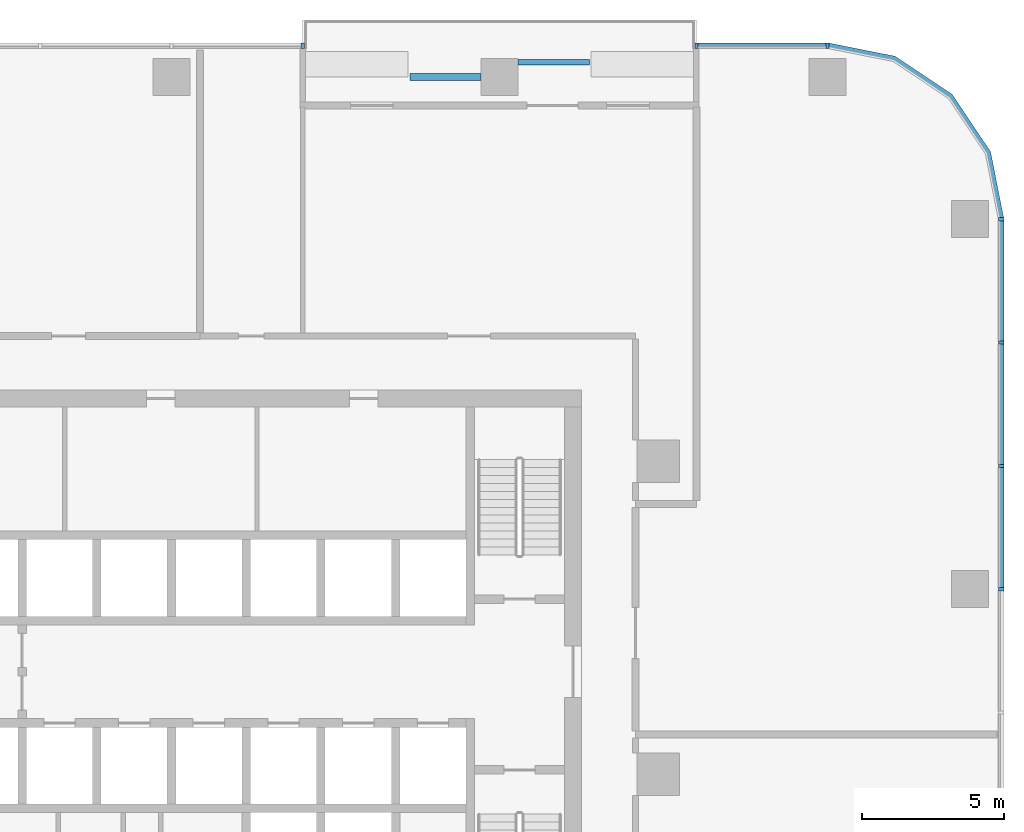
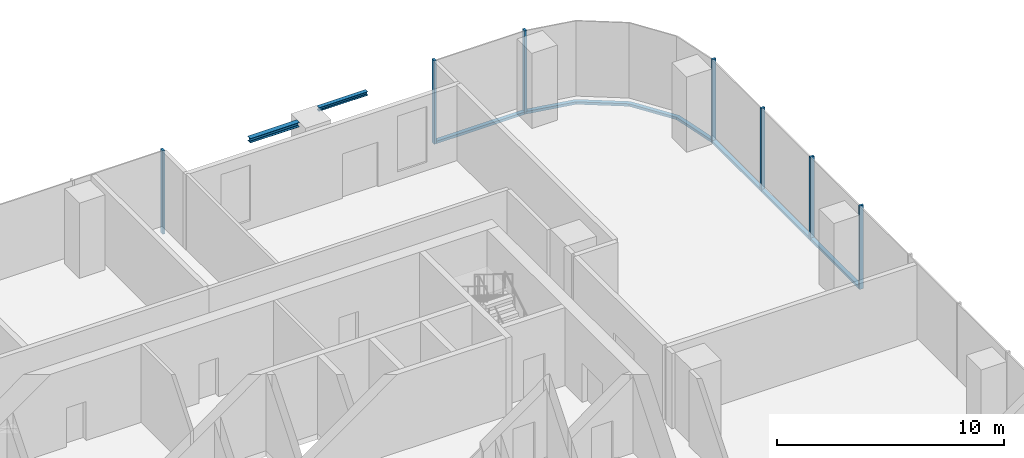
# One storey, part 5 of 15: 12 members, 2 beams, 4 elements without a shape of their own.
"""IFC4 building model written with IfcOpenShell, lengths in metres."""

from ifc_helpers import new_model, si_unit, direction, frame, origin, origin_2d, place, context, subcontext, project, spatial, polyline, rectangle, i_section, outline, extrude, material, material_profile, profile_set, type_object, element, aggregate, save


model = new_model("IFC4")

# Units and contexts
model_context = context("Model", 3, precision=1e-05, world=origin(), true_north=direction((0.0, 1.0)))
body_context = subcontext(model_context, "Body", "Model", "MODEL_VIEW")
ifc_project = project(units=[si_unit("LENGTHUNIT", "METRE"), si_unit("AREAUNIT", "SQUARE_METRE"), si_unit("VOLUMEUNIT", "CUBIC_METRE"), si_unit("PLANEANGLEUNIT", "RADIAN"), si_unit("MASSUNIT", "GRAM", prefix="KILO")], contexts=[model_context])

# Site, building, storey
site_placement = place(None, origin())
site = spatial("IfcSite", under=ifc_project, at=site_placement, CompositionType="ELEMENT")
building_placement = place(site_placement, origin())
building = spatial("IfcBuilding", under=site, at=building_placement, Name="Mopane Tessera Tower", CompositionType="ELEMENT")
storey_placement = place(building_placement, frame((0.0, 0.0, 99.10009765625)))
storey = spatial("IfcBuildingStorey", under=building, at=storey_placement, Name="L19", CompositionType="ELEMENT", Elevation=99.10009765625)

# Curtain wall, members
ifc_material_1 = material(Name="Aluminium frame", Category="aluminium")
curtain_wall_type = type_object("IfcCurtainWallType", Name="Lower tower unitised wall", PredefinedType="NOTDEFINED", material=ifc_material_1)
curtain_wall_1_placement = place(storey_placement, origin())
curtain_wall_1 = element("IfcCurtainWall", 1, at=curtain_wall_1_placement, inside=storey, type_object=curtain_wall_type, Name="e:cw:L19:E:0", PredefinedType="NOTDEFINED")
ifc_material_2 = material(Name="Aluminium frame", Category="aluminium")
ifc_material_profile_1 = material_profile(ifc_material_2, rectangle(XDim=0.110107421875, YDim=0.199951171875, at=origin_2d()))
ifc_profile_set_1 = profile_set([ifc_material_profile_1], Name="Aluminium frame")
member_type_1 = type_object("IfcMemberType", Name="Aluminium mullion 110 x 200", PredefinedType="MULLION", material=ifc_profile_set_1)
member_1_placement = place(storey_placement, frame((29.14990234375, 6.5, -0.4501953125), z_axis=(0.0, 0.0, 1.0), x_axis=(0.0, 1.0, 0.0)))
member_1 = element("IfcMember", 2, at=member_1_placement, type_object=member_type_1, Name="e:cw:L19:E:0:mu6", PredefinedType="MULLION", context=body_context, shape_type="SweptSolid", body=[
    extrude(rectangle(XDim=0.110107421875, YDim=0.199951171875, at=origin_2d()), origin(), (0.0, 0.0, 1.0), 4.5),
])
member_2_placement = place(storey_placement, frame((29.14990234375, 10.833251953125, -0.4501953125), z_axis=(0.0, 0.0, 1.0), x_axis=(0.0, 1.0, 0.0)))
member_2 = element("IfcMember", 3, at=member_2_placement, type_object=member_type_1, Name="e:cw:L19:E:0:mu7", PredefinedType="MULLION", context=body_context, shape_type="SweptSolid", body=[
    extrude(rectangle(XDim=0.110107421875, YDim=0.199951171875, at=origin_2d()), origin(), (0.0, 0.0, 1.0), 4.5),
])
member_3_placement = place(storey_placement, frame((29.14990234375, 15.166748046875, -0.4501953125), z_axis=(0.0, 0.0, 1.0), x_axis=(0.0, 1.0, 0.0)))
member_3 = element("IfcMember", 4, at=member_3_placement, type_object=member_type_1, Name="e:cw:L19:E:0:mu8", PredefinedType="MULLION", context=body_context, shape_type="SweptSolid", body=[
    extrude(rectangle(XDim=0.110107421875, YDim=0.199951171875, at=origin_2d()), origin(), (0.0, 0.0, 1.0), 4.5),
])
member_4_placement = place(storey_placement, frame((29.14990234375, 19.5, -0.4501953125), z_axis=(0.0, 0.0, 1.0), x_axis=(0.0, 1.0, 0.0)))
member_4 = element("IfcMember", 5, at=member_4_placement, type_object=member_type_1, Name="e:cw:L19:E:0:mu9", PredefinedType="MULLION", context=body_context, shape_type="SweptSolid", body=[
    extrude(rectangle(XDim=0.110107421875, YDim=0.199951171875, at=origin_2d()), origin(), (0.0, 0.0, 1.0), 4.5),
])

curtain_wall_2_placement = place(storey_placement, origin())
curtain_wall_2 = element("IfcCurtainWall", 6, at=curtain_wall_2_placement, inside=storey, type_object=curtain_wall_type, Name="e:cw:L19:N:0", PredefinedType="NOTDEFINED")
member_5_placement = place(storey_placement, frame((23.050048828125, 25.60009765625, -0.4501953125), z_axis=(0.0, 0.0, 1.0), x_axis=(-1.0, 0.0, 0.0)))
member_5 = element("IfcMember", 7, at=member_5_placement, type_object=member_type_1, Name="e:cw:L19:N:0:mu0", PredefinedType="MULLION", context=body_context, shape_type="SweptSolid", body=[
    extrude(rectangle(XDim=0.110107421875, YDim=0.199951171875, at=origin_2d()), origin(), (0.0, 0.0, 1.0), 4.5),
])
member_6_placement = place(storey_placement, frame((18.43994140625, 25.60009765625, -0.4501953125), z_axis=(0.0, 0.0, 1.0), x_axis=(-1.0, 0.0, 0.0)))
member_6 = element("IfcMember", 8, at=member_6_placement, type_object=member_type_1, Name="e:cw:L19:N:0:mu1", PredefinedType="MULLION", context=body_context, shape_type="SweptSolid", body=[
    extrude(rectangle(XDim=0.110107421875, YDim=0.199951171875, at=origin_2d()), origin(), (0.0, 0.0, 1.0), 4.5),
])

# Curtain wall, member
curtain_wall_3_placement = place(storey_placement, origin())
curtain_wall_3 = element("IfcCurtainWall", 9, at=curtain_wall_3_placement, inside=storey, type_object=curtain_wall_type, Name="e:cw:L19:N:4", PredefinedType="NOTDEFINED")
member_7_placement = place(storey_placement, frame((4.610107421875, 25.60009765625, -0.4501953125), z_axis=(0.0, 0.0, 1.0), x_axis=(-1.0, 0.0, 0.0)))
member_7 = element("IfcMember", 10, at=member_7_placement, type_object=member_type_1, Name="e:cw:L19:N:4:mu4", PredefinedType="MULLION", context=body_context, shape_type="SweptSolid", body=[
    extrude(rectangle(XDim=0.110107421875, YDim=0.199951171875, at=origin_2d()), origin(), (0.0, 0.0, 1.0), 4.5),
])
aggregate(curtain_wall_3, [member_7])

# Member
ifc_material_3 = material(Name="Aluminium frame", Category="aluminium")
ifc_material_profile_2 = material_profile(ifc_material_3, rectangle(XDim=0.199951171875, YDim=0.139892578125, at=origin_2d()))
ifc_profile_set_2 = profile_set([ifc_material_profile_2], Name="Aluminium frame")
member_type_2 = type_object("IfcMemberType", Name="Aluminium transom 200 x 140", PredefinedType="USERDEFINED", material=ifc_profile_set_2)
member_8_placement = place(storey_placement, frame((29.14990234375, 6.554931640625, -0.380126953125), z_axis=(0.0, 1.0, 0.0), x_axis=(-1.0, 0.0, 0.0)))
member_8 = element("IfcMember", 11, at=member_8_placement, type_object=member_type_2, Name="e:cw:L19:E:0:tr6", ObjectType="TRANSOM", PredefinedType="USERDEFINED", context=body_context, shape_type="SweptSolid", body=[
    extrude(rectangle(XDim=0.199951171875, YDim=0.139892578125, at=origin_2d()), origin(), (0.0, 0.0, 1.0), 4.223388671875),
])

member_9_placement = place(storey_placement, frame((29.14990234375, 10.888427734375, -0.380126953125), z_axis=(0.0, 1.0, 0.0), x_axis=(-1.0, 0.0, 0.0)))
member_9 = element("IfcMember", 12, at=member_9_placement, type_object=member_type_2, Name="e:cw:L19:E:0:tr7", ObjectType="TRANSOM", PredefinedType="USERDEFINED", context=body_context, shape_type="SweptSolid", body=[
    extrude(rectangle(XDim=0.199951171875, YDim=0.139892578125, at=origin_2d()), origin(), (0.0, 0.0, 1.0), 4.22314453125),
])

member_10_placement = place(storey_placement, frame((29.14990234375, 15.2216796875, -0.380126953125), z_axis=(0.0, 1.0, 0.0), x_axis=(-1.0, 0.0, 0.0)))
member_10 = element("IfcMember", 13, at=member_10_placement, type_object=member_type_2, Name="e:cw:L19:E:0:tr8", ObjectType="TRANSOM", PredefinedType="USERDEFINED", context=body_context, shape_type="SweptSolid", body=[
    extrude(rectangle(XDim=0.199951171875, YDim=0.139892578125, at=origin_2d()), origin(), (0.0, 0.0, 1.0), 4.223388671875),
])

aggregate(curtain_wall_1, [member_1, member_2, member_3, member_4, member_8, member_9, member_10])

# Curtain wall, member
curtain_wall_4_placement = place(storey_placement, origin())
curtain_wall_4 = element("IfcCurtainWall", 14, at=curtain_wall_4_placement, inside=storey, type_object=curtain_wall_type, Name="e:cw:L19:CE", PredefinedType="NOTDEFINED")
member_11_placement = place(storey_placement, frame((0.0, 0.0, -0.4501953125)))
member_11 = element("IfcMember", 15, at=member_11_placement, type_object=member_type_2, Name="e:cw:L19:CE:tr", ObjectType="TRANSOM", PredefinedType="USERDEFINED", context=body_context, shape_type="SweptSolid", body=[
    extrude(outline(polyline([(29.050048828125, 19.5), (28.59326171875, 21.796142578125), (27.292724609375, 23.74267578125), (25.34619140625, 25.043212890625), (23.050048828125, 25.5), (23.050048828125, 25.699951171875), (25.422607421875, 25.22802734375), (27.43408203125, 23.884033203125), (28.778076171875, 21.87255859375), (29.25, 19.5), (29.050048828125, 19.5)])), origin(), (0.0, 0.0, 1.0), 0.14013671875),
])
aggregate(curtain_wall_4, [member_11])

# Member
member_12_placement = place(storey_placement, frame((22.9951171875, 25.60009765625, -0.380126953125), z_axis=(-1.0, 0.0, 0.0), x_axis=(0.0, -1.0, 0.0)))
member_12 = element("IfcMember", 16, at=member_12_placement, type_object=member_type_2, Name="e:cw:L19:N:0:tr0", ObjectType="TRANSOM", PredefinedType="USERDEFINED", context=body_context, shape_type="SweptSolid", body=[
    extrude(rectangle(XDim=0.199951171875, YDim=0.139892578125, at=origin_2d()), origin(), (0.0, 0.0, 1.0), 4.5),
])

aggregate(curtain_wall_2, [member_5, member_6, member_12])

# Beams
ifc_material_4 = material(Name="Structural steel S460", Category="steel")
ifc_material_profile_3 = material_profile(ifc_material_4, i_section(OverallWidth=0.239990234375, OverallDepth=0.239990234375, WebThickness=0.010009765625, FlangeThickness=0.01708984375, FilletRadius=0.02099609375, at=origin_2d()))
ifc_profile_set_3 = profile_set([ifc_material_profile_3], Name="Structural steel S460")
beam_type_1 = type_object("IfcBeamType", Name="Terrace spandrel beam HE 240 B", PredefinedType="SPANDREL", material=ifc_profile_set_3)
beam_1_placement = place(storey_placement, frame((10.871826171875, 24.5, 3.929931640625), z_axis=(-1.0, 0.0, 0.0), x_axis=(0.0, -1.0, 0.0)))
element("IfcBeam", 17, at=beam_1_placement, inside=storey, type_object=beam_type_1, Name="Terrace spandrel beam N1 L20", PredefinedType="SPANDREL", context=body_context, shape_type="SweptSolid", body=[
    extrude(i_section(OverallWidth=0.239990234375, OverallDepth=0.239990234375, WebThickness=0.010009765625, FlangeThickness=0.01708984375, FilletRadius=0.02099609375, at=origin_2d()), origin(), (0.0, 0.0, 1.0), 2.5),
])
ifc_material_5 = material(Name="Structural steel S460", Category="steel")
ifc_material_profile_4 = material_profile(ifc_material_5, i_section(OverallWidth=0.199951171875, OverallDepth=0.199951171875, WebThickness=0.009033203125, FlangeThickness=0.014892578125, FilletRadius=0.01806640625, at=origin_2d()))
ifc_profile_set_4 = profile_set([ifc_material_profile_4], Name="Structural steel S460")
beam_type_2 = type_object("IfcBeamType", Name="Terrace trimmer beam HE 200 B", PredefinedType="BEAM", material=ifc_profile_set_4)
beam_2_placement = place(storey_placement, frame((12.177978515625, 25.02001953125, 3.949951171875), z_axis=(1.0, 0.0, 0.0), x_axis=(0.0, 1.0, 0.0)))
element("IfcBeam", 18, at=beam_2_placement, inside=storey, type_object=beam_type_2, Name="Terrace trimmer beam N1 L20", PredefinedType="BEAM", context=body_context, shape_type="SweptSolid", body=[
    extrude(i_section(OverallWidth=0.199951171875, OverallDepth=0.199951171875, WebThickness=0.009033203125, FlangeThickness=0.014892578125, FilletRadius=0.01806640625, at=origin_2d()), origin(), (0.0, 0.0, 1.0), 2.5),
])

save(model, "model.ifc")
